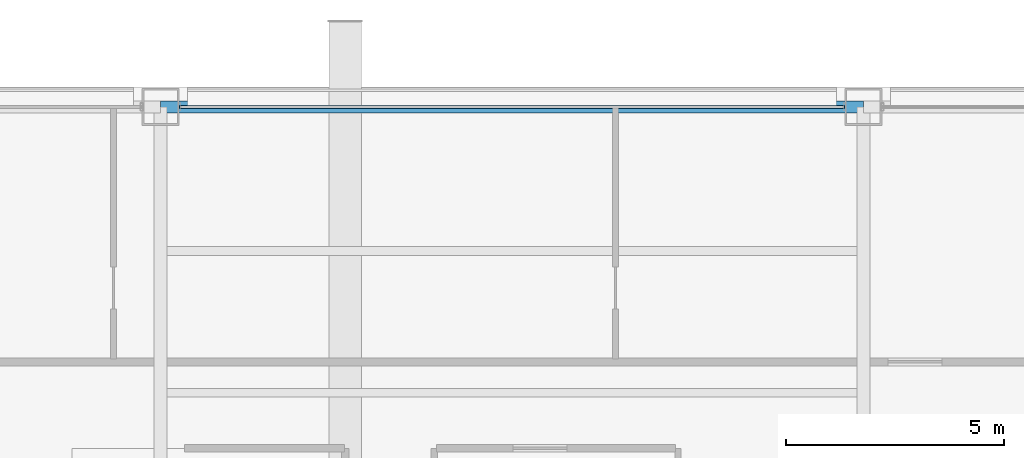
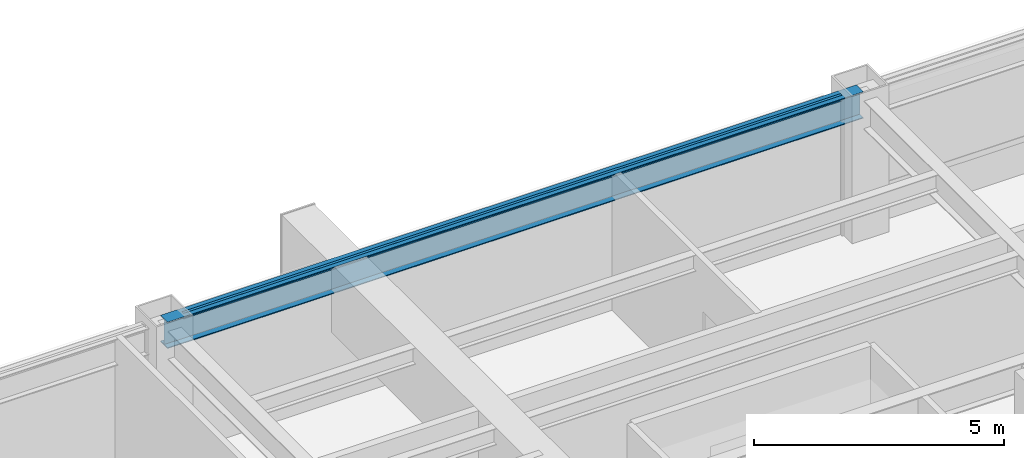
# One storey, part 25 of 34: 1 beam, 1 member, 1 element without a shape of its own.
"""IFC4 building model written with IfcOpenShell, lengths in metres."""

from ifc_helpers import new_model, si_unit, direction, frame, origin, origin_2d, place, context, subcontext, project, spatial, hollow_rectangle, i_section, extrude, material, layer, layer_set, material_profile, profile_set, type_object, element, aggregate, save


model = new_model("IFC4")

# Units and contexts
model_context = context("Model", 3, precision=1e-05, world=origin(), true_north=direction((0.0, 1.0)))
body_context = subcontext(model_context, "Body", "Model", "MODEL_VIEW")
ifc_project = project(units=[si_unit("LENGTHUNIT", "METRE"), si_unit("AREAUNIT", "SQUARE_METRE"), si_unit("VOLUMEUNIT", "CUBIC_METRE"), si_unit("PLANEANGLEUNIT", "RADIAN"), si_unit("MASSUNIT", "GRAM", prefix="KILO")], contexts=[model_context])

# Site, building, storey
site_placement = place(None, origin())
site = spatial("IfcSite", under=ifc_project, at=site_placement, CompositionType="ELEMENT")
building_placement = place(site_placement, origin())
building = spatial("IfcBuilding", under=site, at=building_placement, Name="Brelmoor Portico Tower", CompositionType="ELEMENT")
storey_placement = place(building_placement, frame((0.0, 0.0, 117.0)))
storey = spatial("IfcBuildingStorey", under=building, at=storey_placement, Name="L30", CompositionType="ELEMENT", Elevation=117.0)

# Beam
ifc_material_1 = material(Name="Steel Q355B", Category="steel")
ifc_material_profile_1 = material_profile(ifc_material_1, i_section(OverallWidth=0.280029296875, OverallDepth=0.64990234375, WebThickness=0.012939453125, FlangeThickness=0.02197265625, at=origin_2d()), Name="HN 650x280x13x22")
ifc_profile_set_1 = profile_set([ifc_material_profile_1], Name="Steel Q355B")
beam_type = type_object("IfcBeamType", Name="BM-SP-650", PredefinedType="SPANDREL", material=ifc_profile_set_1)
beam_placement = place(storey_placement, frame((-8.050048828125, 19.550048828125, 3.074951171875), z_axis=(1.0, 0.0, 0.0), x_axis=(0.0, 1.0, 0.0)))
element("IfcBeam", 1, at=beam_placement, inside=storey, type_object=beam_type, Name="L30 Perimeter Spandrel Beam SP-12", PredefinedType="SPANDREL", context=body_context, shape_type="SweptSolid", body=[
    extrude(i_section(OverallWidth=0.280029296875, OverallDepth=0.64990234375, WebThickness=0.012939453125, FlangeThickness=0.02197265625, at=origin_2d()), origin(), (0.0, 0.0, 1.0), 16.10009765625),
])

# Curtain wall, member
ifc_material_2 = material(Name="Anodised Aluminium Alloy 6063-T6", Category="aluminium")
ifc_layer = layer(ifc_material_2, 0.179931640625)
ifc_layer_set = layer_set([ifc_layer], Name="Anodised Aluminium Alloy 6063-T6")
curtain_wall_type = type_object("IfcCurtainWallType", Name="CW-TOWER-Z2-XB", PredefinedType="NOTDEFINED", material=ifc_layer_set)
curtain_wall_placement = place(storey_placement, origin())
curtain_wall = element("IfcCurtainWall", 2, at=curtain_wall_placement, inside=storey, type_object=curtain_wall_type, Name="L30 Curtain Wall CW-L30-02-3", PredefinedType="NOTDEFINED")
ifc_material_profile_2 = material_profile(ifc_material_2, hollow_rectangle(XDim=0.06494140625, YDim=0.139892578125, WallThickness=0.00390625, at=origin_2d()), Name="ALU TRANSOM 65x140")
ifc_profile_set_2 = profile_set([ifc_material_profile_2], Name="Anodised Aluminium Alloy 6063-T6")
member_type = type_object("IfcMemberType", Name="MB-CW-TRAN-140", PredefinedType="USERDEFINED", material=ifc_profile_set_2)
member_placement = place(storey_placement, frame((-7.614990234375, 19.550048828125, 3.330078125), z_axis=(1.0, 0.0, 0.0), x_axis=(0.0, 1.0, 0.0)))
member = element("IfcMember", 3, at=member_placement, type_object=member_type, Name="CW-L30-02-3 Transom 1-00", ObjectType="TRANSOM", PredefinedType="USERDEFINED", context=body_context, shape_type="SweptSolid", body=[
    extrude(hollow_rectangle(XDim=0.06494140625, YDim=0.139892578125, WallThickness=0.00390625, at=origin_2d()), origin(), (0.0, 0.0, 1.0), 15.22998046875),
])
aggregate(curtain_wall, [member])

save(model, "model.ifc")
